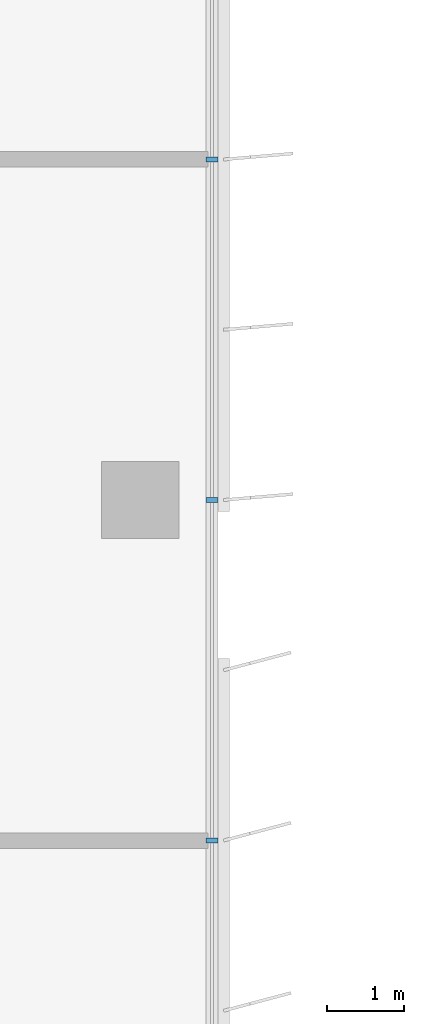
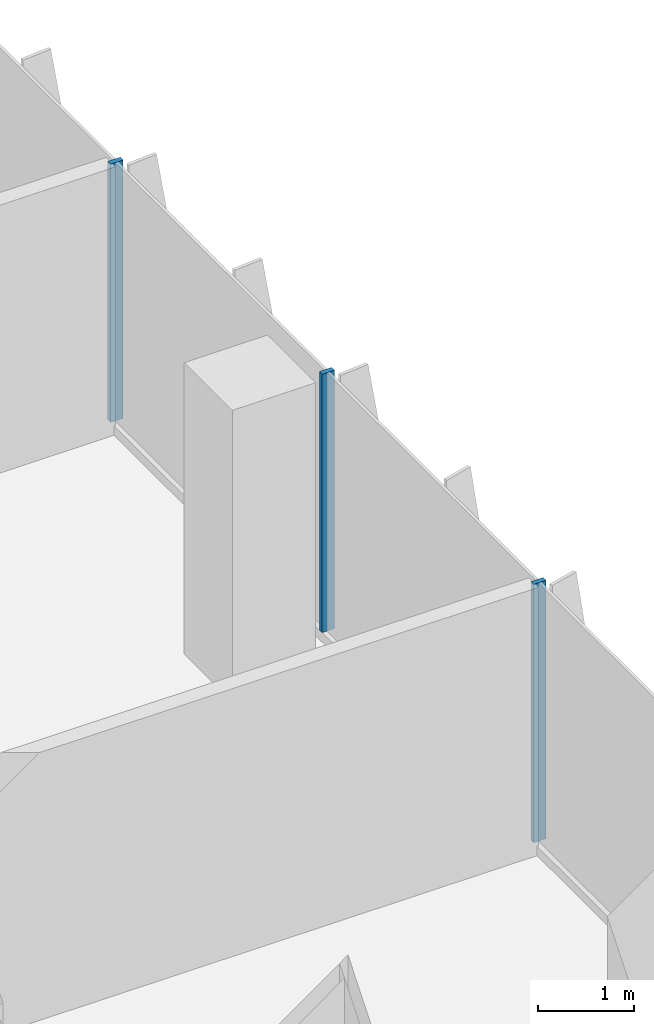
# One storey, part 5 of 21: 3 members, 1 element without a shape of its own.
"""IFC4 building model written with IfcOpenShell, lengths in metres."""

from ifc_helpers import new_model, si_unit, direction, frame, origin, origin_2d, place, context, subcontext, project, spatial, rectangle, extrude, source, transform, mapped, material, material_profile, profile_set, type_object, element, aggregate, save


model = new_model("IFC4")

# Units and contexts
model_context = context("Model", 3, precision=1e-05, world=origin(), true_north=direction((0.0, 1.0)))
body_context = subcontext(model_context, "Body", "Model", "MODEL_VIEW")
ifc_project = project(units=[si_unit("LENGTHUNIT", "METRE"), si_unit("AREAUNIT", "SQUARE_METRE"), si_unit("VOLUMEUNIT", "CUBIC_METRE"), si_unit("PLANEANGLEUNIT", "RADIAN"), si_unit("MASSUNIT", "GRAM", prefix="KILO")], contexts=[model_context])

# Site, building, storey
site_placement = place(None, origin())
site = spatial("IfcSite", under=ifc_project, at=site_placement, CompositionType="ELEMENT")
building_placement = place(site_placement, origin())
building = spatial("IfcBuilding", under=site, at=building_placement, Name="Kemantara Hotel Tower", CompositionType="ELEMENT")
storey_placement = place(building_placement, frame((0.0, 0.0, 160.5)))
storey = spatial("IfcBuildingStorey", under=building, at=storey_placement, Name="L39", CompositionType="ELEMENT", Elevation=160.5)

# Curtain wall, members
ifc_material_1 = material(Name="Low-E tinted double insulated glass 36 mm", Category="glass")
curtain_wall_type = type_object("IfcCurtainWallType", Name="TOWER CURTAIN WALL, FRONT FACES", PredefinedType="USERDEFINED", material=ifc_material_1)
curtain_wall_placement = place(storey_placement, origin())
curtain_wall = element("IfcCurtainWall", 1, at=curtain_wall_placement, inside=storey, type_object=curtain_wall_type, Name="CW4 L39 T3-R17-1", ObjectType="TOWER CURTAIN WALL, FRONT FACES", PredefinedType="USERDEFINED")
ifc_material_2 = material(Name="Aluminium 6063-T6 bronze anodised", Category="aluminium")
ifc_material_profile = material_profile(ifc_material_2, rectangle(XDim=0.14990234375, YDim=0.06005859375, at=origin_2d()), Name="TOWER CURTAIN WALL, FRONT FACES MULLION")
ifc_profile_set = profile_set([ifc_material_profile], Name="Aluminium 6063-T6 bronze anodised")
member_type = type_object("IfcMemberType", Name="TOWER CURTAIN WALL, FRONT FACES MULLION", PredefinedType="MULLION", material=ifc_profile_set)
shared_shape = source(origin(), body_context, "Body", "SweptSolid", [
    extrude(rectangle(XDim=0.14990234375, YDim=0.06005859375, at=origin_2d()), origin(), (0.0, 0.0, 1.0), 3.27978515625),
])
member_1_placement = place(storey_placement, frame((21.925048828125, 31.800048828125, 0.1201171875), z_axis=(0.0, 0.0, 1.0), x_axis=(-1.0, 0.0, 0.0)))
member_1 = element("IfcMember", 2, at=member_1_placement, type_object=member_type, Name="CW4 mullion T3-R17-1.3", PredefinedType="MULLION", context=body_context, shape_type="MappedRepresentation", body=[
    mapped(shared_shape, transform((0.0, 0.0, 0.0))),
])
member_2_placement = place(storey_placement, frame((21.925048828125, 36.199951171875, 0.1201171875), z_axis=(0.0, 0.0, 1.0), x_axis=(-1.0, 0.0, 0.0)))
member_2 = element("IfcMember", 3, at=member_2_placement, type_object=member_type, Name="CW4 mullion T3-R17-1.4", PredefinedType="MULLION", context=body_context, shape_type="MappedRepresentation", body=[
    mapped(shared_shape, transform((0.0, 0.0, 0.0))),
])
member_3_placement = place(storey_placement, frame((21.925048828125, 40.60009765625, 0.1201171875), z_axis=(0.0, 0.0, 1.0), x_axis=(-1.0, 0.0, 0.0)))
member_3 = element("IfcMember", 4, at=member_3_placement, type_object=member_type, Name="CW4 mullion T3-R17-1.5", PredefinedType="MULLION", context=body_context, shape_type="MappedRepresentation", body=[
    mapped(shared_shape, transform((0.0, 0.0, 0.0))),
])
aggregate(curtain_wall, [member_1, member_2, member_3])

save(model, "model.ifc")
